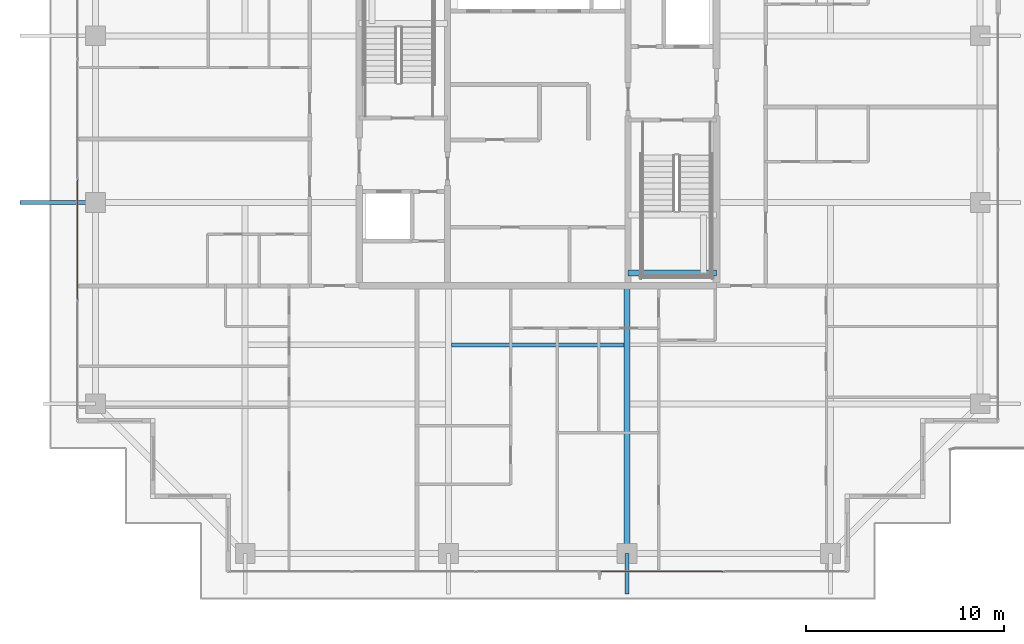
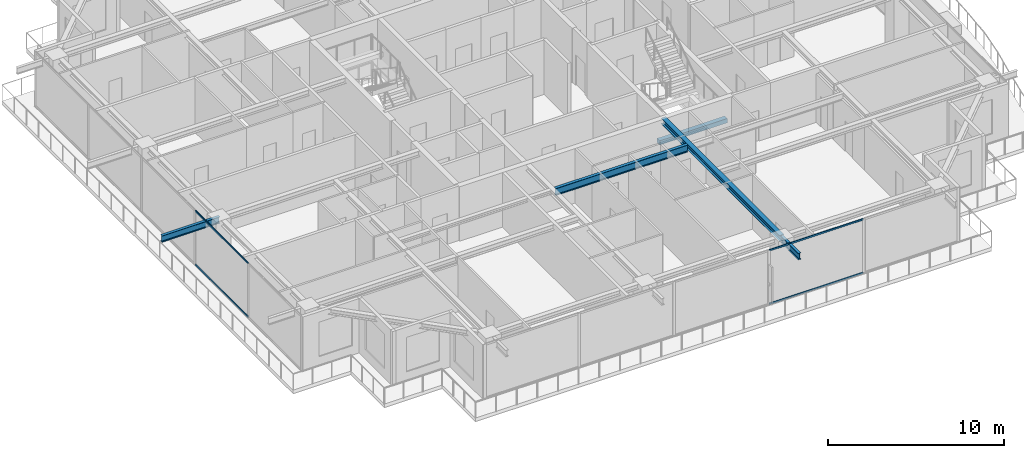
# One storey, part 7 of 40: 5 beams, 4 members, 2 elements without a shape of their own.
"""IFC4 building model written with IfcOpenShell, lengths in metres."""

from ifc_helpers import new_model, si_unit, direction, frame, origin, origin_2d, place, context, subcontext, project, spatial, rectangle, hollow_rectangle, i_section, extrude, source, transform, mapped, material, layer, layer_set, material_profile, profile_set, type_object, element, aggregate, save


model = new_model("IFC4")

# Units and contexts
model_context = context("Model", 3, precision=1e-05, world=origin(), true_north=direction((0.0, 1.0)))
body_context = subcontext(model_context, "Body", "Model", "MODEL_VIEW")
ifc_project = project(units=[si_unit("LENGTHUNIT", "METRE"), si_unit("AREAUNIT", "SQUARE_METRE"), si_unit("VOLUMEUNIT", "CUBIC_METRE"), si_unit("PLANEANGLEUNIT", "RADIAN"), si_unit("MASSUNIT", "GRAM", prefix="KILO")], contexts=[model_context])

# Site, building, storey
site_placement = place(None, origin())
site = spatial("IfcSite", under=ifc_project, at=site_placement, CompositionType="ELEMENT")
building_placement = place(site_placement, origin())
building = spatial("IfcBuilding", under=site, at=building_placement, Name="Serunith Strait Residences", CompositionType="ELEMENT")
storey_placement = place(building_placement, frame((0.0, 0.0, 313.699951171875)))
storey = spatial("IfcBuildingStorey", under=building, at=storey_placement, Name="L78", CompositionType="ELEMENT", Elevation=313.699951171875)

# Beams
ifc_material_1 = material(Name="Steel S355J2", Category="steel")
ifc_material_profile_1 = material_profile(ifc_material_1, i_section(OverallWidth=0.199951171875, OverallDepth=0.5, WebThickness=0.01025390625, FlangeThickness=0.01611328125, FilletRadius=0.02099609375, at=origin_2d()), Name="IPE 500")
ifc_profile_set_1 = profile_set([ifc_material_profile_1], Name="Steel S355J2")
beam_type_1 = type_object("IfcBeamType", Name="BM-IPE500", PredefinedType="JOIST", material=ifc_profile_set_1)
shared_shape_1 = source(origin(), body_context, "Body", "SweptSolid", [
    extrude(i_section(OverallWidth=0.199951171875, OverallDepth=0.5, WebThickness=0.01025390625, FlangeThickness=0.01611328125, FilletRadius=0.02099609375, at=origin_2d()), origin(), (0.0, 0.0, 1.0), 8.699951171875),
])
beam_1_placement = place(storey_placement, frame((28.050048828125, 13.824951171875, 3.537109375), z_axis=(1.0, 0.0, 0.0), x_axis=(0.0, 1.0, 0.0)))
element("IfcBeam", 1, at=beam_1_placement, inside=storey, type_object=beam_type_1, Name="L78 Composite Floor Joist 02", PredefinedType="JOIST", context=body_context, shape_type="MappedRepresentation", body=[
    mapped(shared_shape_1, transform((0.0, 0.0, 0.0), scale=1.0)),
])
ifc_material_profile_2 = material_profile(ifc_material_1, i_section(OverallWidth=0.300048828125, OverallDepth=0.39990234375, WebThickness=0.013427734375, FlangeThickness=0.02392578125, FilletRadius=0.027099609375, at=origin_2d()), Name="HEB 400")
ifc_profile_set_2 = profile_set([ifc_material_profile_2], Name="Steel S355J2")
beam_type_2 = type_object("IfcBeamType", Name="BM-HEB400", PredefinedType="BEAM", material=ifc_profile_set_2)
shared_shape_2 = source(origin(), body_context, "Body", "SweptSolid", [
    extrude(i_section(OverallWidth=0.300048828125, OverallDepth=0.39990234375, WebThickness=0.013427734375, FlangeThickness=0.02392578125, FilletRadius=0.027099609375, at=origin_2d()), origin(), (0.0, 0.0, 1.0), 13.5),
])
beam_2_placement = place(storey_placement, frame((36.89990234375, 16.800048828125, 3.587158203125), z_axis=(0.0, -1.0, 0.0), x_axis=(1.0, 0.0, 0.0)))
element("IfcBeam", 2, at=beam_2_placement, inside=storey, type_object=beam_type_2, Name="L78 Primary Floor Girder TC-S3", PredefinedType="BEAM", context=body_context, shape_type="MappedRepresentation", body=[
    mapped(shared_shape_2, transform((0.0, 0.0, 0.0), scale=1.0)),
])
ifc_material_profile_3 = material_profile(ifc_material_1, i_section(OverallWidth=0.18994140625, OverallDepth=0.449951171875, WebThickness=0.009521484375, FlangeThickness=0.0146484375, FilletRadius=0.02099609375, at=origin_2d()), Name="IPE 450")
ifc_profile_set_3 = profile_set([ifc_material_profile_3], Name="Steel S355J2")
beam_type_3 = type_object("IfcBeamType", Name="BM-IPE450", PredefinedType="JOIST", material=ifc_profile_set_3)
shared_shape_3 = source(origin(), body_context, "Body", "SweptSolid", [
    extrude(i_section(OverallWidth=0.18994140625, OverallDepth=0.449951171875, WebThickness=0.009521484375, FlangeThickness=0.0146484375, FilletRadius=0.02099609375, at=origin_2d()), origin(), (0.0, 0.0, 1.0), 3.800048828125),
])
beam_3_placement = place(storey_placement, frame((10.10009765625, 21.0, 3.531982421875), z_axis=(-1.0, 0.0, 0.0), x_axis=(0.0, -1.0, 0.0)))
element("IfcBeam", 3, at=beam_3_placement, inside=storey, type_object=beam_type_3, Name="L79 Cantilevered Balcony Rib TC-W2", PredefinedType="JOIST", context=body_context, shape_type="MappedRepresentation", body=[
    mapped(shared_shape_3, transform((0.0, 0.0, 0.0), scale=1.0)),
])
shared_shape_4 = source(origin(), body_context, "Body", "SweptSolid", [
    extrude(i_section(OverallWidth=0.18994140625, OverallDepth=0.449951171875, WebThickness=0.009521484375, FlangeThickness=0.0146484375, FilletRadius=0.02099609375, at=origin_2d()), origin(), (0.0, 0.0, 1.0), 2.030029296875),
])
beam_4_placement = place(storey_placement, frame((36.89990234375, 3.300048828125, 3.531982421875), z_axis=(0.0, -1.0, 0.0), x_axis=(1.0, 0.0, 0.0)))
element("IfcBeam", 4, at=beam_4_placement, inside=storey, type_object=beam_type_3, Name="L79 Cantilevered Balcony Rib TC-S3", PredefinedType="JOIST", context=body_context, shape_type="MappedRepresentation", body=[
    mapped(shared_shape_4, transform((0.0, 0.0, 0.0), scale=1.0)),
])
ifc_material_2 = material(Name="Concrete C60/75", Category="concrete")
ifc_material_profile_4 = material_profile(ifc_material_2, rectangle(XDim=0.300048828125, YDim=0.300048828125, at=origin_2d()), Name="RC 300x300")
ifc_profile_set_4 = profile_set([ifc_material_profile_4], Name="Concrete C60/75")
beam_type_4 = type_object("IfcBeamType", Name="BM-LAND-300x300", PredefinedType="BEAM", material=ifc_profile_set_4)
shared_shape_5 = source(origin(), body_context, "Body", "SweptSolid", [
    extrude(rectangle(XDim=0.300048828125, YDim=0.300048828125, at=origin_2d()), origin(), (0.0, 0.0, 1.0), 4.449951171875),
])
beam_5_placement = place(storey_placement, frame((36.949951171875, 17.449951171875, 1.675048828125), z_axis=(1.0, 0.0, 0.0), x_axis=(0.0, 1.0, 0.0)))
element("IfcBeam", 5, at=beam_5_placement, inside=storey, type_object=beam_type_4, Name="L78 ST-2 Landing Support Beam 1", PredefinedType="BEAM", context=body_context, shape_type="MappedRepresentation", body=[
    mapped(shared_shape_5, transform((0.0, 0.0, 0.0), scale=1.0)),
])

# Curtain wall, members
ifc_material_3 = material(Name="Brushed Stainless-Silver Aluminium", Category="aluminium")
ifc_layer = layer(ifc_material_3, 0.199951171875, Name="Brushed Stainless-Silver Aluminium")
ifc_layer_set = layer_set([ifc_layer], Name="Brushed Stainless-Silver Aluminium")
curtain_wall_type = type_object("IfcCurtainWallType", Name="CW-SYS5", PredefinedType="NOTDEFINED", material=ifc_layer_set)
curtain_wall_1_placement = place(storey_placement, origin())
curtain_wall_1 = element("IfcCurtainWall", 6, at=curtain_wall_1_placement, inside=storey, type_object=curtain_wall_type, Name="L78 S Unitised Fritted Curtain Wall", PredefinedType="NOTDEFINED")
ifc_material_profile_5 = material_profile(ifc_material_3, hollow_rectangle(XDim=0.06005859375, YDim=0.1201171875, WallThickness=0.00341796875, InnerFilletRadius=0.00537109375, OuterFilletRadius=0.0087890625, at=origin_2d()), Name="ALU 120x60x3.5")
ifc_profile_set_5 = profile_set([ifc_material_profile_5], Name="Brushed Stainless-Silver Aluminium")
member_type = type_object("IfcMemberType", Name="CW-SYS5-TRAN", PredefinedType="USERDEFINED", material=ifc_profile_set_5)
shared_shape_6 = source(origin(), body_context, "Body", "SweptSolid", [
    extrude(hollow_rectangle(XDim=0.06005859375, YDim=0.1201171875, WallThickness=0.00341796875, InnerFilletRadius=0.00537109375, OuterFilletRadius=0.0087890625, at=origin_2d()), origin(), (0.0, 0.0, 1.0), 6.175048828125),
])
member_1_placement = place(storey_placement, frame((35.552490234375, 2.39990234375, 0.030029296875), z_axis=(1.0, 0.0, 0.0), x_axis=(0.0, 1.0, 0.0)))
member_1 = element("IfcMember", 7, at=member_1_placement, type_object=member_type, Name="CW-5 transom 4.1", ObjectType="TRANSOM", PredefinedType="USERDEFINED", context=body_context, shape_type="MappedRepresentation", body=[
    mapped(shared_shape_6, transform((0.0, 0.0, 0.0), scale=1.0)),
])
member_2_placement = place(storey_placement, frame((35.552490234375, 2.39990234375, 3.7451171875), z_axis=(1.0, 0.0, 0.0), x_axis=(0.0, 1.0, 0.0)))
member_2 = element("IfcMember", 8, at=member_2_placement, type_object=member_type, Name="CW-5 transom 4.2", ObjectType="TRANSOM", PredefinedType="USERDEFINED", context=body_context, shape_type="MappedRepresentation", body=[
    mapped(shared_shape_6, transform((0.0, 0.0, 0.0), scale=1.0)),
])
aggregate(curtain_wall_1, [member_1, member_2])

curtain_wall_2_placement = place(storey_placement, origin())
curtain_wall_2 = element("IfcCurtainWall", 9, at=curtain_wall_2_placement, inside=storey, type_object=curtain_wall_type, Name="L78 W Unitised Fritted Curtain Wall", PredefinedType="NOTDEFINED")
shared_shape_7 = source(origin(), body_context, "Body", "SweptSolid", [
    extrude(hollow_rectangle(XDim=0.06005859375, YDim=0.1201171875, WallThickness=0.00341796875, InnerFilletRadius=0.00537109375, OuterFilletRadius=0.0087890625, at=origin_2d()), origin(), (0.0, 0.0, 1.0), 6.014892578125),
])
member_3_placement = place(storey_placement, frame((9.199951171875, 22.12744140625, 0.030029296875), z_axis=(0.0, -1.0, 0.0), x_axis=(1.0, 0.0, 0.0)))
member_3 = element("IfcMember", 10, at=member_3_placement, type_object=member_type, Name="CW-5 transom 4.1", ObjectType="TRANSOM", PredefinedType="USERDEFINED", context=body_context, shape_type="MappedRepresentation", body=[
    mapped(shared_shape_7, transform((0.0, 0.0, 0.0), scale=1.0)),
])
member_4_placement = place(storey_placement, frame((9.199951171875, 22.12744140625, 3.7451171875), z_axis=(0.0, -1.0, 0.0), x_axis=(1.0, 0.0, 0.0)))
member_4 = element("IfcMember", 11, at=member_4_placement, type_object=member_type, Name="CW-5 transom 4.2", ObjectType="TRANSOM", PredefinedType="USERDEFINED", context=body_context, shape_type="MappedRepresentation", body=[
    mapped(shared_shape_7, transform((0.0, 0.0, 0.0), scale=1.0)),
])
aggregate(curtain_wall_2, [member_3, member_4])

save(model, "model.ifc")
